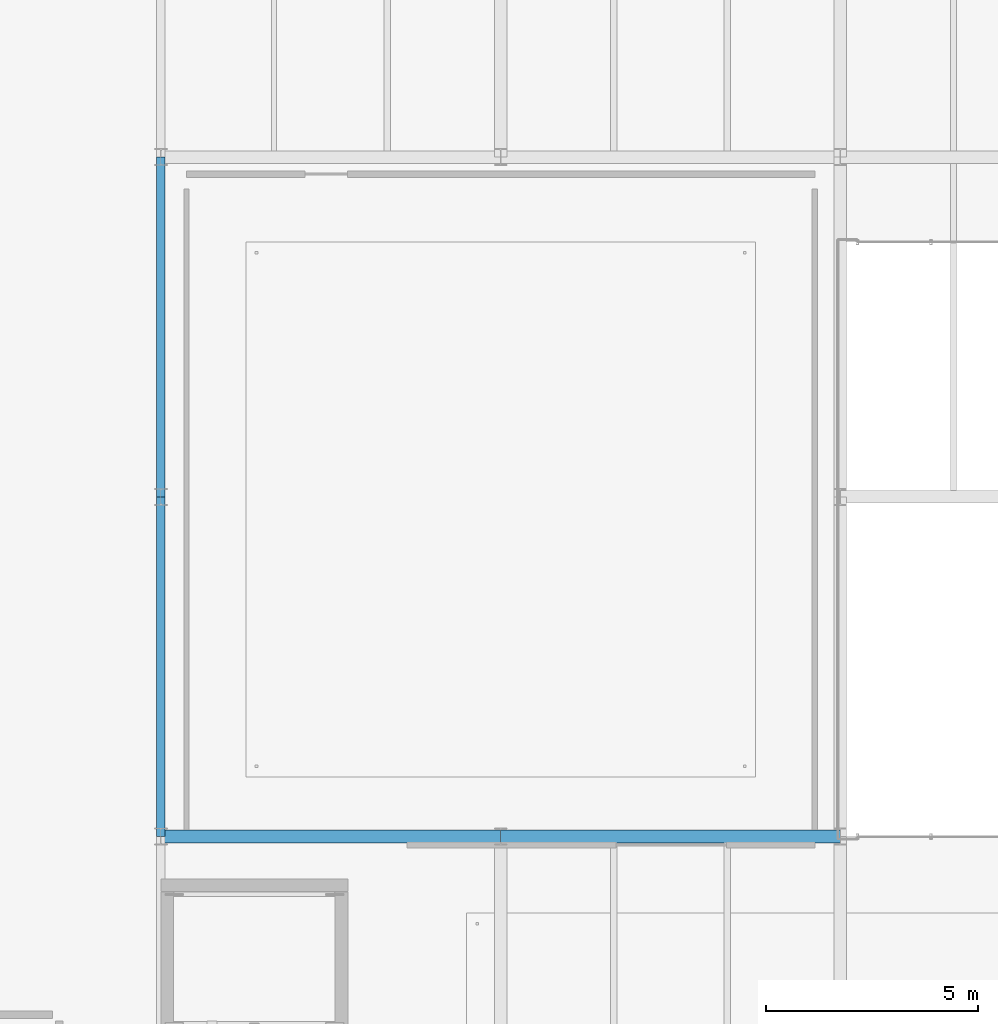
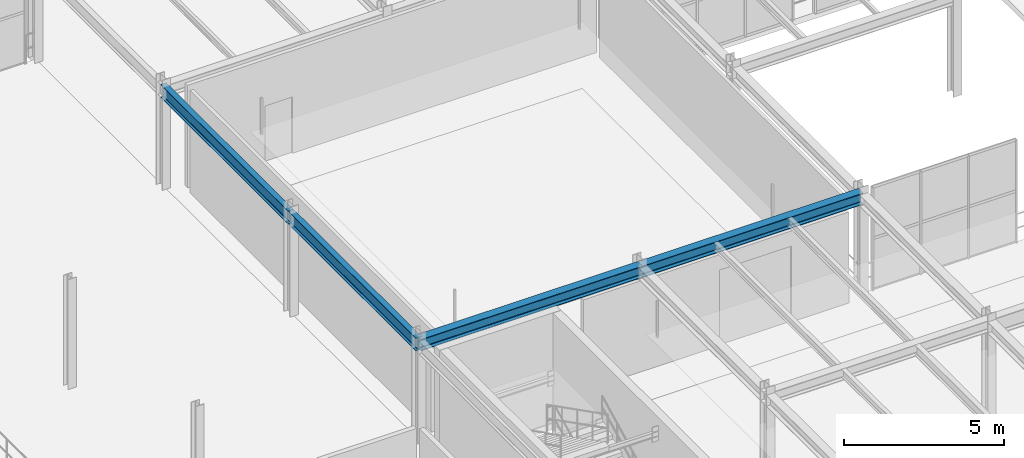
# One storey, part 19 of 67: 4 beams.
"""IFC4 building model written with IfcOpenShell, lengths in metres."""

from ifc_helpers import new_model, si_unit, direction, frame, origin, origin_2d, place, context, subcontext, project, spatial, i_section, extrude, material, material_profile, profile_set, type_object, element, save


model = new_model("IFC4")

# Units and contexts
model_context = context("Model", 3, precision=1e-05, world=origin(), true_north=direction((0.0, 1.0)))
body_context = subcontext(model_context, "Body", "Model", "MODEL_VIEW")
ifc_project = project(units=[si_unit("LENGTHUNIT", "METRE"), si_unit("AREAUNIT", "SQUARE_METRE"), si_unit("VOLUMEUNIT", "CUBIC_METRE"), si_unit("PLANEANGLEUNIT", "RADIAN"), si_unit("MASSUNIT", "GRAM", prefix="KILO")], contexts=[model_context])

# Site, building, storey
site_placement = place(None, origin())
site = spatial("IfcSite", under=ifc_project, at=site_placement, CompositionType="ELEMENT")
building_placement = place(site_placement, origin())
building = spatial("IfcBuilding", under=site, at=building_placement, Name="Sundkrona Museum", CompositionType="ELEMENT")
storey_placement = place(building_placement, frame((0.0, 0.0, 21.800048828125)))
storey = spatial("IfcBuildingStorey", under=building, at=storey_placement, Name="L04", CompositionType="ELEMENT", Elevation=21.800048828125)

# Beams
ifc_material = material(Name="Steel S355J2", Category="steel")
ifc_material_profile_1 = material_profile(ifc_material, i_section(OverallWidth=0.300048828125, OverallDepth=0.43994140625, WebThickness=0.011474609375, FlangeThickness=0.02099609375, FilletRadius=0.027099609375, at=origin_2d()), Name="HEA 450")
ifc_profile_set_1 = profile_set([ifc_material_profile_1], Name="Steel S355J2")
beam_type_1 = type_object("IfcBeamType", Name="B-HEA450", PredefinedType="BEAM", material=ifc_profile_set_1)
for number, where, z_axis, x_axis, name in (
    (1, (120.0, 16.0, 3.699951171875), (1.0, 0.0, 0.0), (0.0, 1.0, 0.0), "L04 Girder X-1714"),
    (2, (128.0, 16.0, 3.699951171875), (1.0, 0.0, 0.0), (0.0, 1.0, 0.0), "L04 Girder X-1715"),
):
    element("IfcBeam", number, at=place(storey_placement, frame(where, z_axis=z_axis, x_axis=x_axis)), inside=storey, type_object=beam_type_1, Name=name, PredefinedType="BEAM", context=body_context, shape_type="SweptSolid", body=[
        extrude(i_section(OverallWidth=0.300048828125, OverallDepth=0.43994140625, WebThickness=0.011474609375, FlangeThickness=0.02099609375, FilletRadius=0.027099609375, at=origin_2d()), origin(), (0.0, 0.0, 1.0), 8.0),
    ])
ifc_material_profile_2 = material_profile(ifc_material, i_section(OverallWidth=0.199951171875, OverallDepth=0.5, WebThickness=0.01025390625, FlangeThickness=0.01611328125, FilletRadius=0.02099609375, at=origin_2d()), Name="IPE 500")
ifc_profile_set_2 = profile_set([ifc_material_profile_2], Name="Steel S355J2")
beam_type_2 = type_object("IfcBeamType", Name="SP-IPE500", PredefinedType="SPANDREL", material=ifc_profile_set_2)
for number, where, z_axis, x_axis, name in (
    (3, (120.0, 16.0, 3.669921875), (0.0, 1.0, 0.0), (-1.0, 0.0, 0.0), "L04 Girder Y-1740"),
    (4, (120.0, 24.0, 3.669921875), (0.0, 1.0, 0.0), (-1.0, 0.0, 0.0), "L04 Girder Y-1741"),
):
    element("IfcBeam", number, at=place(storey_placement, frame(where, z_axis=z_axis, x_axis=x_axis)), inside=storey, type_object=beam_type_2, Name=name, PredefinedType="SPANDREL", context=body_context, shape_type="SweptSolid", body=[
        extrude(i_section(OverallWidth=0.199951171875, OverallDepth=0.5, WebThickness=0.01025390625, FlangeThickness=0.01611328125, FilletRadius=0.02099609375, at=origin_2d()), origin(), (0.0, 0.0, 1.0), 8.0),
    ])

save(model, "model.ifc")
